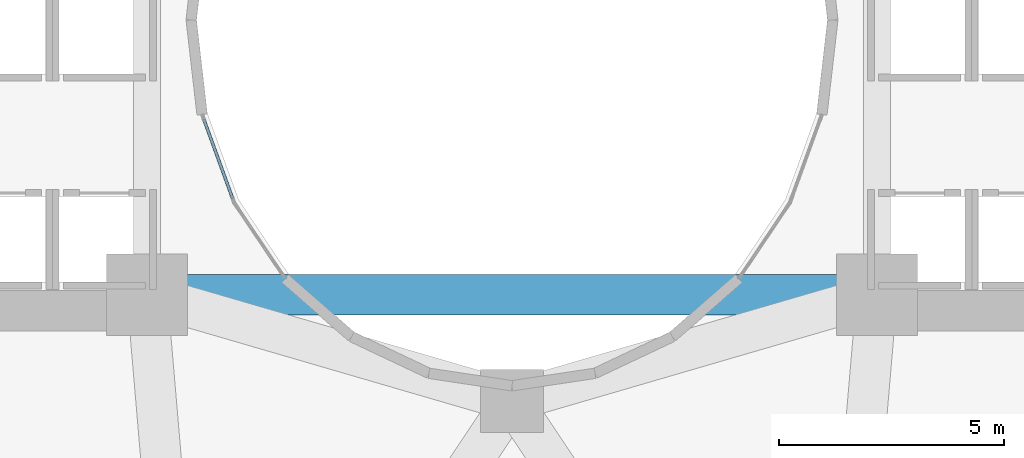
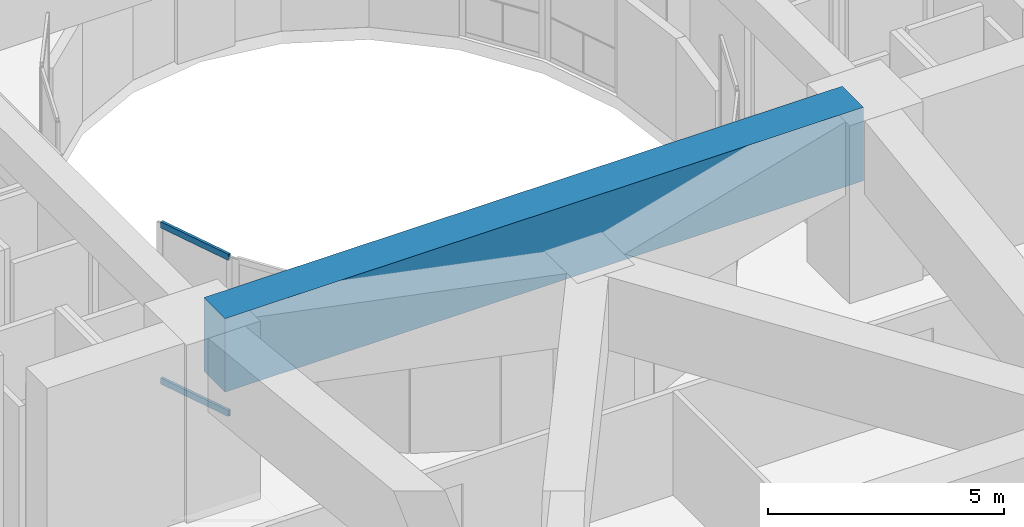
# One storey, part 5 of 27: 2 members, 1 beam, 1 element without a shape of its own.
"""IFC4 building model written with IfcOpenShell, lengths in metres."""

import ifcopenshell
import ifcopenshell.guid

model = None  # the IFC model being written
_history = None  # IfcOwnerHistory: only IFC2X3 demands one
_inside = {}  # id of a spatial element -> (the spatial element, [elements in it])
_under = {}  # id of a project, library or spatial element -> (it, [spatial elements below it])
_declared = {}  # id of a project -> (the project, [libraries it declares])
_typed = {}  # id of a type object -> (the type object, [elements of that type])
_made_of = {}  # id of a material, layer set ... -> (it, [elements and type objects made of it])


def new_model(schema):
    """Start an empty IFC model of exactly this schema.

    Asked for "IFC4X3", IfcOpenShell would pick the latest addendum, in which some entities
    have other attributes; the version numbers below select the first issue.
    IFC2X3 requires an IfcOwnerHistory on every rooted entity: one is made here for all.
    """
    global model, _history
    if schema == "IFC4X3":
        model = ifcopenshell.file(schema_version=(4, 3, 0, 0))
    else:
        model = ifcopenshell.file(schema=schema)
    _inside.clear()
    _under.clear()
    _declared.clear()
    _typed.clear()
    _made_of.clear()
    _history = None
    if model.schema == "IFC2X3":
        org = make("IfcOrganization", Name="unknown")
        user = make(
            "IfcPersonAndOrganization",
            ThePerson=make("IfcPerson", FamilyName="unknown"),
            TheOrganization=org,
        )
        app = make(
            "IfcApplication",
            ApplicationDeveloper=org,
            Version="unknown",
            ApplicationFullName="unknown",
            ApplicationIdentifier="unknown",
        )
        _history = make(
            "IfcOwnerHistory",
            OwningUser=user,
            OwningApplication=app,
            ChangeAction="ADDED",
            CreationDate=0,
        )
    return model


def make(cls, **values):
    """One entity of the class cls with the attributes given. An attribute that is None is left unset."""
    return model.create_entity(
        cls, **{name: value for name, value in values.items() if value is not None}
    )


def rooted(cls, **values):
    """An entity with a GlobalId (a new one), such as an element, a storey or a relation."""
    return make(cls, GlobalId=ifcopenshell.guid.new(), OwnerHistory=_history, **values)


def si_unit(unit_type, name, prefix=None):
    """IfcSIUnit, for example si_unit("LENGTHUNIT", "METRE", prefix="MILLI")."""
    return make("IfcSIUnit", UnitType=unit_type, Prefix=prefix, Name=name)


def assignment(units):
    """IfcUnitAssignment: the units of a project."""
    return None if units is None else make("IfcUnitAssignment", Units=units)


def point(xyz):
    """IfcCartesianPoint."""
    return None if xyz is None else make("IfcCartesianPoint", Coordinates=xyz)


def direction(xyz):
    """IfcDirection."""
    return None if xyz is None else make("IfcDirection", DirectionRatios=xyz)


def frame(location, z_axis=None, x_axis=None):
    """IfcAxis2Placement3D, a coordinate frame: its origin and axes. An axis left out is left unset."""
    return make(
        "IfcAxis2Placement3D",
        Location=point(location),
        Axis=direction(z_axis),
        RefDirection=direction(x_axis),
    )


def frame_2d(location, x_axis=None):
    """IfcAxis2Placement2D, a coordinate frame in the plane: its origin and x axis."""
    return make(
        "IfcAxis2Placement2D", Location=point(location), RefDirection=direction(x_axis)
    )


def origin():
    """The frame at (0, 0, 0) with its axes left unset."""
    return frame((0.0, 0.0, 0.0))


def origin_2d():
    """The frame at (0, 0) in the plane with its x axis left unset."""
    return frame_2d((0.0, 0.0))


def place(relative_to, where):
    """IfcLocalPlacement: puts the frame where relative to a parent placement (None: the world)."""
    return make(
        "IfcLocalPlacement", PlacementRelTo=relative_to, RelativePlacement=where
    )


def context(
    kind, dimensions, precision=None, world=None, true_north=None, identifier=None
):
    """IfcGeometricRepresentationContext, for example the 3D "Model" context."""
    return make(
        "IfcGeometricRepresentationContext",
        ContextIdentifier=identifier,
        ContextType=kind,
        CoordinateSpaceDimension=dimensions,
        Precision=precision,
        WorldCoordinateSystem=world,
        TrueNorth=true_north,
    )


def subcontext(parent, identifier, kind, view, scale=None):
    """IfcGeometricRepresentationSubContext, for example "Body" below "Model"."""
    return make(
        "IfcGeometricRepresentationSubContext",
        ContextIdentifier=identifier,
        ContextType=kind,
        ParentContext=parent,
        TargetScale=scale,
        TargetView=view,
    )


def project(units=None, contexts=None):
    """IfcProject with its units and contexts."""
    return rooted(
        "IfcProject",
        Name="project",
        RepresentationContexts=contexts,
        UnitsInContext=assignment(units),
    )


def spatial(cls, under=None, at=None, **own):
    """A site, building, storey or space (cls), placed at a placement, below another one or the project."""
    s = rooted(cls, ObjectPlacement=at, **own)
    if under is not None:
        _under.setdefault(under.id(), (under, []))[1].append(s)
    return s


def profile(cls, at=None, kind="AREA", **sizes):
    """A parametric profile (cls). Its sizes go by their IFC names, for example OverallWidth=200.0."""
    return make(cls, ProfileType=kind, Position=at, **sizes)


def rectangle(**sizes):
    """IfcRectangleProfileDef."""
    return profile("IfcRectangleProfileDef", **sizes)


def hollow_rectangle(**sizes):
    """IfcRectangleHollowProfileDef."""
    return profile("IfcRectangleHollowProfileDef", **sizes)


def extrude(swept, where, along, depth):
    """IfcExtrudedAreaSolid: the profile swept, set in the frame where, extruded along a direction by depth."""
    return make(
        "IfcExtrudedAreaSolid",
        SweptArea=swept,
        Position=where,
        ExtrudedDirection=direction(along),
        Depth=depth,
    )


def shape(context_of_items, identifier, shape_type, items):
    """IfcShapeRepresentation: the items that make up one representation, for example the "Body"."""
    return make(
        "IfcShapeRepresentation",
        ContextOfItems=context_of_items,
        RepresentationIdentifier=identifier,
        RepresentationType=shape_type,
        Items=items,
    )


def material(Name=None, Category=None):
    """IfcMaterial."""
    return make("IfcMaterial", Name=Name, Category=Category)


def layer(
    of_material, thickness, ventilated=None, Name=None, Category=None, Priority=None
):
    """IfcMaterialLayer: one layer of a wall or slab, of a material (None: an air gap)."""
    return make(
        "IfcMaterialLayer",
        Material=of_material,
        LayerThickness=thickness,
        IsVentilated=ventilated,
        Name=Name,
        Category=Category,
        Priority=Priority,
    )


def layer_set(layers, Name=None):
    """IfcMaterialLayerSet."""
    return make("IfcMaterialLayerSet", MaterialLayers=layers, LayerSetName=Name)


def material_profile(
    of_material, cross_section, Name=None, Category=None, Priority=None
):
    """IfcMaterialProfile: a cross section and its material."""
    return make(
        "IfcMaterialProfile",
        Name=Name,
        Material=of_material,
        Profile=cross_section,
        Priority=Priority,
        Category=Category,
    )


def profile_set(profiles, Name=None, composite=None):
    """IfcMaterialProfileSet."""
    return make(
        "IfcMaterialProfileSet",
        Name=Name,
        MaterialProfiles=profiles,
        CompositeProfile=composite,
    )


def made_of(thing, what):
    """Note that an element or type object is made of a material, layer set ...; save() writes the relation."""
    if what is not None:
        _made_of.setdefault(what.id(), (what, []))[1].append(thing)
    return thing


def type_object(cls, material=None, **own):
    """A type object (cls), such as IfcWallType, which elements share."""
    return made_of(rooted(cls, **own), material)


def element(
    cls,
    number,
    at=None,
    inside=None,
    cuts=None,
    type_object=None,
    material=None,
    context=None,
    identifier="Body",
    shape_type=None,
    held_by="IfcProductDefinitionShape",
    body=None,
    shapes=None,
    **own,
):
    """One element of the class cls, such as IfcWall. Its Tag is "e" and its number.

    at: its placement. inside: the storey or other place that contains it. cuts: it is an
    opening in that element (IfcRelVoidsElement). A single representation is given by context,
    identifier, shape_type and body (its items); several are given by shapes. held_by: the class
    of the entity that holds the representations. save() writes the other relations.
    """
    e = rooted(cls, Tag="e%d" % number, ObjectPlacement=at, **own)
    if body is not None:
        shapes = [shape(context, identifier, shape_type, body)]
    if shapes is not None:
        e.Representation = make(held_by, Representations=shapes)
    if inside is not None:
        _inside.setdefault(inside.id(), (inside, []))[1].append(e)
    if cuts is not None:
        rooted(
            "IfcRelVoidsElement", RelatingBuildingElement=cuts, RelatedOpeningElement=e
        )
    if type_object is not None:
        _typed.setdefault(type_object.id(), (type_object, []))[1].append(e)
    return made_of(e, material)


def aggregate(whole, parts):
    """IfcRelAggregates: a whole, such as a stair, and the parts it consists of."""
    return rooted("IfcRelAggregates", RelatingObject=whole, RelatedObjects=parts)


def save(model, path):
    """Write the relations noted so far, then the file.

    IfcRelAggregates (storeys below a building ...), IfcRelContainedInSpatialStructure (elements
    in a storey), IfcRelDefinesByType, IfcRelAssociatesMaterial and IfcRelDeclares: one each for
    every whole, place, type object, material and project.
    """
    for whole, parts in _under.values():
        aggregate(whole, parts)
    for where, things in _inside.values():
        rooted(
            "IfcRelContainedInSpatialStructure",
            RelatedElements=things,
            RelatingStructure=where,
        )
    for kind, things in _typed.values():
        rooted("IfcRelDefinesByType", RelatedObjects=things, RelatingType=kind)
    for what, things in _made_of.values():
        rooted("IfcRelAssociatesMaterial", RelatedObjects=things, RelatingMaterial=what)
    for by, libraries in _declared.values():
        rooted("IfcRelDeclares", RelatingContext=by, RelatedDefinitions=libraries)
    model.write(path)


model = new_model("IFC4")

# Units and contexts
model_context = context("Model", 3, precision=1e-05, world=origin(), true_north=direction((0.0, 1.0)))
body_context = subcontext(model_context, "Body", "Model", "MODEL_VIEW")
ifc_project = project(units=[si_unit("LENGTHUNIT", "METRE"), si_unit("AREAUNIT", "SQUARE_METRE"), si_unit("VOLUMEUNIT", "CUBIC_METRE"), si_unit("PLANEANGLEUNIT", "RADIAN"), si_unit("MASSUNIT", "GRAM", prefix="KILO")], contexts=[model_context])

# Site, building, storey
site_placement = place(None, origin())
site = spatial("IfcSite", under=ifc_project, at=site_placement, CompositionType="ELEMENT")
building_placement = place(site_placement, origin())
building = spatial("IfcBuilding", under=site, at=building_placement, Name="Solvane Sanctuary Tower", CompositionType="ELEMENT")
storey_placement = place(building_placement, frame((0.0, 0.0, 23.0)))
storey = spatial("IfcBuildingStorey", under=building, at=storey_placement, Name="L06", CompositionType="ELEMENT", Elevation=23.0)

# Beam
ifc_material_1 = material(Name="Concrete C60/75", Category="concrete")
ifc_material_profile_1 = material_profile(ifc_material_1, rectangle(XDim=0.89990234375, YDim=1.89990234375, at=origin_2d()), Name="RC900X1900")
ifc_profile_set_1 = profile_set([ifc_material_profile_1], Name="Concrete C60/75")
beam_type = type_object("IfcBeamType", Name="Beam B-XFER-POD RC900X1900", PredefinedType="BEAM", material=ifc_profile_set_1)
beam_placement = place(storey_placement, frame((24.199951171875, 16.89990234375, 3.64990234375), z_axis=(1.0, 0.0, 0.0), x_axis=(0.0, 1.0, 0.0)))
element("IfcBeam", 1, at=beam_placement, inside=storey, type_object=beam_type, Name="L06 Podium Transfer Girder XP25", PredefinedType="BEAM", context=body_context, shape_type="SweptSolid", body=[
    extrude(rectangle(XDim=0.89990234375, YDim=1.89990234375, at=origin_2d()), origin(), (0.0, 0.0, 1.0), 15.60009765625),
])

# Curtain wall, members
ifc_material_2 = material(Name="Anodised Aluminium 6063-T6", Category="aluminium")
ifc_layer = layer(ifc_material_2, 0.199951171875, Name="Anodised Aluminium 6063-T6")
ifc_layer_set = layer_set([ifc_layer], Name="Anodised Aluminium 6063-T6")
curtain_wall_type = type_object("IfcCurtainWallType", Name="Curtain Wall CW-WELL", PredefinedType="NOTDEFINED", material=ifc_layer_set)
curtain_wall_placement = place(storey_placement, origin())
curtain_wall = element("IfcCurtainWall", 2, at=curtain_wall_placement, inside=storey, type_object=curtain_wall_type, Name="L06 Light-Well Curtain Wall 13", PredefinedType="NOTDEFINED")
ifc_material_profile_2 = material_profile(ifc_material_2, hollow_rectangle(XDim=0.06494140625, YDim=0.159912109375, WallThickness=0.00341796875, at=origin_2d()), Name="ALU160X65X3.5")
ifc_profile_set_2 = profile_set([ifc_material_profile_2], Name="Anodised Aluminium 6063-T6")
member_type = type_object("IfcMemberType", Name="Member M-CW-TRN-1 ALU160X65X3.5", PredefinedType="USERDEFINED", material=ifc_profile_set_2)
member_1_placement = place(storey_placement, frame((25.158447265625, 20.7998046875, 0.032470703125), z_axis=(0.341366423667, -0.939930297837, 0.0), x_axis=(0.939930297837, 0.341366423667, 0.0)))
member_1 = element("IfcMember", 3, at=member_1_placement, type_object=member_type, Name="CW-WELL transom 1.1", ObjectType="TRANSOM", PredefinedType="USERDEFINED", context=body_context, shape_type="SweptSolid", body=[
    extrude(hollow_rectangle(XDim=0.06494140625, YDim=0.159912109375, WallThickness=0.00341796875, at=origin_2d()), origin(), (0.0, 0.0, 1.0), 1.873779296875),
])
member_2_placement = place(storey_placement, frame((25.158447265625, 20.7998046875, 4.0673828125), z_axis=(0.341366423667, -0.939930297837, 0.0), x_axis=(0.939930297837, 0.341366423667, 0.0)))
member_2 = element("IfcMember", 4, at=member_2_placement, type_object=member_type, Name="CW-WELL transom 1.2", ObjectType="TRANSOM", PredefinedType="USERDEFINED", context=body_context, shape_type="SweptSolid", body=[
    extrude(hollow_rectangle(XDim=0.06494140625, YDim=0.159912109375, WallThickness=0.00341796875, at=origin_2d()), origin(), (0.0, 0.0, 1.0), 1.873779296875),
])
aggregate(curtain_wall, [member_1, member_2])

save(model, "model.ifc")
